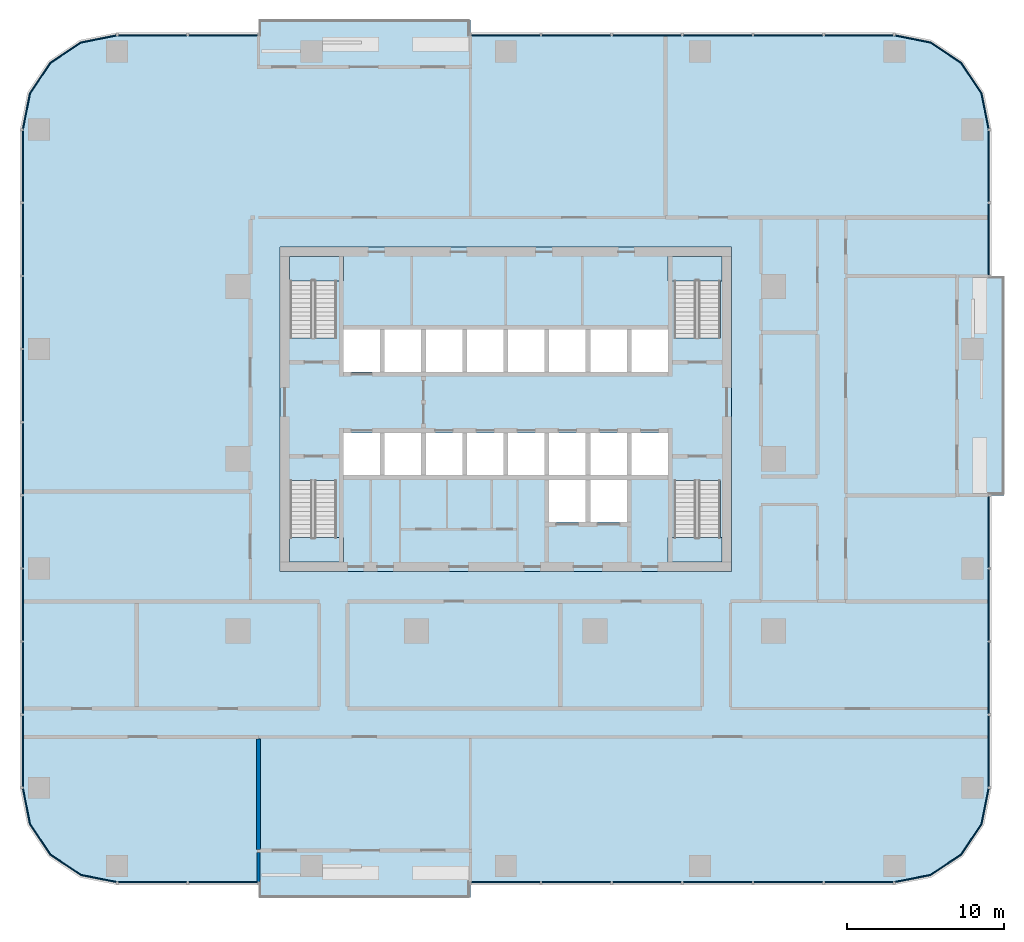
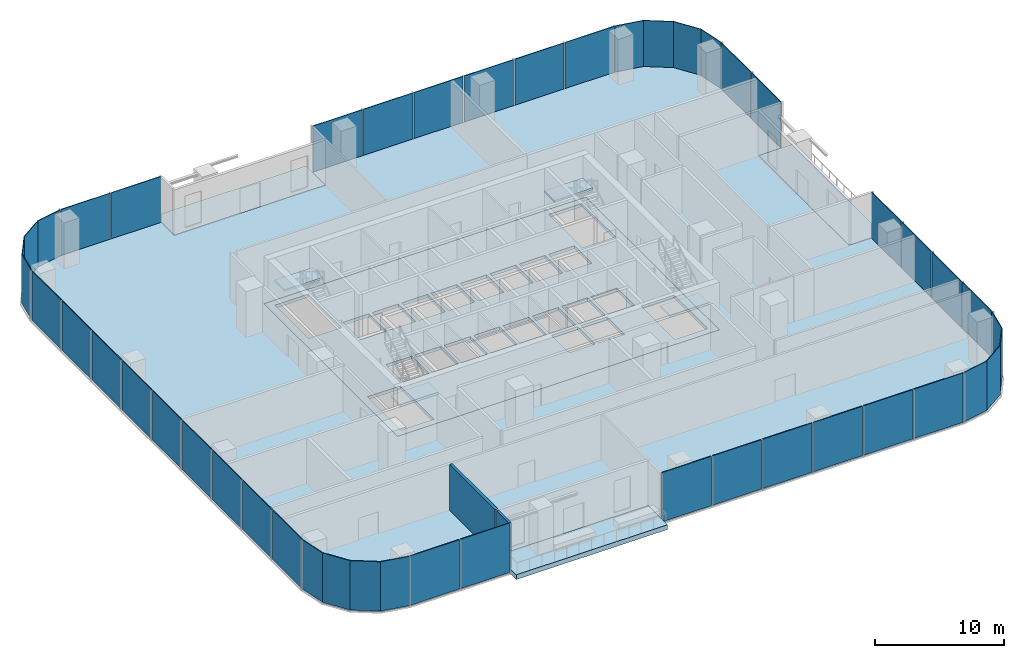
# One storey, part 6 of 15: 35 plates, 9 slabs, 2 walls, 15 elements without a shape of their own.
"""IFC4 building model written with IfcOpenShell, lengths in metres."""

from ifc_helpers import new_model, si_unit, direction, frame, frame_2d, origin, origin_2d, place, context, subcontext, project, spatial, polyline, rectangle, outline, extrude, material, layer, layer_set, type_object, element, aggregate, save


model = new_model("IFC4")

# Units and contexts
model_context = context("Model", 3, precision=1e-05, world=origin(), true_north=direction((0.0, 1.0)))
body_context = subcontext(model_context, "Body", "Model", "MODEL_VIEW")
ifc_project = project(units=[si_unit("LENGTHUNIT", "METRE"), si_unit("AREAUNIT", "SQUARE_METRE"), si_unit("VOLUMEUNIT", "CUBIC_METRE"), si_unit("PLANEANGLEUNIT", "RADIAN"), si_unit("MASSUNIT", "GRAM", prefix="KILO")], contexts=[model_context])

# Site, building, storey
site_placement = place(None, origin())
site = spatial("IfcSite", under=ifc_project, at=site_placement, CompositionType="ELEMENT")
building_placement = place(site_placement, origin())
building = spatial("IfcBuilding", under=site, at=building_placement, Name="Mopane Tessera Tower", CompositionType="ELEMENT")
storey_placement = place(building_placement, frame((0.0, 0.0, 69.39990234375)))
storey = spatial("IfcBuildingStorey", under=building, at=storey_placement, Name="L13", CompositionType="ELEMENT", Elevation=69.39990234375)

# Slab
ifc_material_1 = material(Name="Concrete C40/50", Category="concrete")
ifc_layer_1 = layer(ifc_material_1, 0.300048828125)
ifc_layer_set_1 = layer_set([ifc_layer_1], Name="Concrete C40/50")
slab_type_1 = type_object("IfcSlabType", Name="Core floor slab 300 mm", PredefinedType="FLOOR", material=ifc_layer_set_1)
slab_1_placement = place(storey_placement, frame((0.0, 0.0, -0.2998046875)))
element("IfcSlab", 1, at=slab_1_placement, inside=storey, type_object=slab_type_1, Name="L13 core floor slab", PredefinedType="FLOOR", context=body_context, shape_type="SweptSolid", body=[
    extrude(outline(polyline([(-14.39990234375, -7.199951171875), (14.39990234375, -7.199951171875), (14.39990234375, 13.5), (-14.39990234375, 13.5), (-14.39990234375, -7.199951171875)]), holes=[polyline([(-10.35009765625, -1.050048828125), (-8.02490234375, -1.050048828125), (-8.02490234375, 1.64990234375), (-10.35009765625, 1.64990234375), (-10.35009765625, -1.050048828125)]), polyline([(-7.72509765625, -1.050048828125), (-5.39990234375, -1.050048828125), (-5.39990234375, 1.64990234375), (-7.72509765625, 1.64990234375), (-7.72509765625, -1.050048828125)]), polyline([(-5.10009765625, -1.050048828125), (-2.77490234375, -1.050048828125), (-2.77490234375, 1.64990234375), (-5.10009765625, 1.64990234375), (-5.10009765625, -1.050048828125)]), polyline([(-2.47509765625, -1.050048828125), (-0.14990234375, -1.050048828125), (-0.14990234375, 1.64990234375), (-2.47509765625, 1.64990234375), (-2.47509765625, -1.050048828125)]), polyline([(0.14990234375, -1.050048828125), (2.47509765625, -1.050048828125), (2.47509765625, 1.64990234375), (0.14990234375, 1.64990234375), (0.14990234375, -1.050048828125)]), polyline([(2.77490234375, -1.050048828125), (5.10009765625, -1.050048828125), (5.10009765625, 1.64990234375), (2.77490234375, 1.64990234375), (2.77490234375, -1.050048828125)]), polyline([(5.39990234375, -1.050048828125), (7.72509765625, -1.050048828125), (7.72509765625, 1.64990234375), (5.39990234375, 1.64990234375), (5.39990234375, -1.050048828125)]), polyline([(8.02490234375, -1.050048828125), (10.35009765625, -1.050048828125), (10.35009765625, 1.64990234375), (8.02490234375, 1.64990234375), (8.02490234375, -1.050048828125)]), polyline([(-10.35009765625, 5.550048828125), (-8.02490234375, 5.550048828125), (-8.02490234375, 8.25), (-10.35009765625, 8.25), (-10.35009765625, 5.550048828125)]), polyline([(-7.72509765625, 5.550048828125), (-5.39990234375, 5.550048828125), (-5.39990234375, 8.25), (-7.72509765625, 8.25), (-7.72509765625, 5.550048828125)]), polyline([(-5.10009765625, 5.550048828125), (-2.77490234375, 5.550048828125), (-2.77490234375, 8.25), (-5.10009765625, 8.25), (-5.10009765625, 5.550048828125)]), polyline([(-2.47509765625, 5.550048828125), (-0.14990234375, 5.550048828125), (-0.14990234375, 8.25), (-2.47509765625, 8.25), (-2.47509765625, 5.550048828125)]), polyline([(0.14990234375, 5.550048828125), (2.47509765625, 5.550048828125), (2.47509765625, 8.25), (0.14990234375, 8.25), (0.14990234375, 5.550048828125)]), polyline([(2.77490234375, 5.550048828125), (5.10009765625, 5.550048828125), (5.10009765625, 8.25), (2.77490234375, 8.25), (2.77490234375, 5.550048828125)]), polyline([(5.39990234375, 5.550048828125), (7.72509765625, 5.550048828125), (7.72509765625, 8.25), (5.39990234375, 8.25), (5.39990234375, 5.550048828125)]), polyline([(8.02490234375, 5.550048828125), (10.35009765625, 5.550048828125), (10.35009765625, 8.25), (8.02490234375, 8.25), (8.02490234375, 5.550048828125)]), polyline([(2.77490234375, -4.050048828125), (5.10009765625, -4.050048828125), (5.10009765625, -1.35009765625), (2.77490234375, -1.35009765625), (2.77490234375, -4.050048828125)]), polyline([(5.39990234375, -4.050048828125), (7.72509765625, -4.050048828125), (7.72509765625, -1.35009765625), (5.39990234375, -1.35009765625), (5.39990234375, -4.050048828125)]), polyline([(-13.75, -1.405029296875), (-13.75, -6.60009765625), (-10.800048828125, -6.60009765625), (-10.800048828125, -1.405029296875), (-13.75, -1.405029296875)]), polyline([(-10.800048828125, 7.705078125), (-10.800048828125, 12.89990234375), (-13.75, 12.89990234375), (-13.75, 7.705078125), (-10.800048828125, 7.705078125)]), polyline([(10.75, -1.405029296875), (10.75, -6.60009765625), (13.699951171875, -6.60009765625), (13.699951171875, -1.405029296875), (10.75, -1.405029296875)]), polyline([(13.699951171875, 7.705078125), (13.699951171875, 12.89990234375), (10.75, 12.89990234375), (10.75, 7.705078125), (13.699951171875, 7.705078125)])]), origin(), (0.0, 0.0, 1.0), 0.2998046875),
])

# Stair, slab
ifc_material_2 = material(Name="Concrete C50/60", Category="concrete")
stair_type = type_object("IfcStairType", Name="Escape stair 1400 mm, riser 171 mm", PredefinedType="HALF_TURN_STAIR", material=ifc_material_2)
stair_1_placement = place(storey_placement, origin())
stair_1 = element("IfcStair", 2, at=stair_1_placement, inside=storey, type_object=stair_type, Name="L13 Escape stair south-west", PredefinedType="HALF_TURN_STAIR")
ifc_material_3 = material(Name="Concrete C50/60", Category="concrete")
ifc_layer_2 = layer(ifc_material_3, 0.199951171875)
ifc_layer_set_2 = layer_set([ifc_layer_2], Name="Concrete C50/60")
slab_type_2 = type_object("IfcSlabType", Name="Escape stair landing 200 mm", PredefinedType="LANDING", material=ifc_layer_set_2)
slab_2_placement = place(storey_placement, frame((0.0, 0.0, 2.2001953125)))
slab_2 = element("IfcSlab", 3, at=slab_2_placement, type_object=slab_type_2, Name="ST1 landing 1", PredefinedType="LANDING", context=body_context, shape_type="SweptSolid", body=[
    extrude(outline(polyline([(-13.800048828125, -5.0400390625), (-13.800048828125, -6.60009765625), (-10.35009765625, -6.60009765625), (-10.35009765625, -5.0400390625), (-13.800048828125, -5.0400390625)])), origin(), (0.0, 0.0, 1.0), 0.199951171875),
])
aggregate(stair_1, [slab_2])

stair_2_placement = place(storey_placement, origin())
stair_2 = element("IfcStair", 4, at=stair_2_placement, inside=storey, type_object=stair_type, Name="L13 Escape stair north-west", PredefinedType="HALF_TURN_STAIR")
slab_3_placement = place(storey_placement, frame((0.0, 0.0, 2.2001953125)))
slab_3 = element("IfcSlab", 5, at=slab_3_placement, type_object=slab_type_2, Name="ST2 landing 1", PredefinedType="LANDING", context=body_context, shape_type="SweptSolid", body=[
    extrude(outline(polyline([(-10.35009765625, 11.340087890625), (-10.35009765625, 12.89990234375), (-13.800048828125, 12.89990234375), (-13.800048828125, 11.340087890625), (-10.35009765625, 11.340087890625)])), origin(), (0.0, 0.0, 1.0), 0.199951171875),
])
aggregate(stair_2, [slab_3])

stair_3_placement = place(storey_placement, origin())
stair_3 = element("IfcStair", 6, at=stair_3_placement, inside=storey, type_object=stair_type, Name="L13 Escape stair south-east", PredefinedType="HALF_TURN_STAIR")
slab_4_placement = place(storey_placement, frame((0.0, 0.0, 2.2001953125)))
slab_4 = element("IfcSlab", 7, at=slab_4_placement, type_object=slab_type_2, Name="ST3 landing 1", PredefinedType="LANDING", context=body_context, shape_type="SweptSolid", body=[
    extrude(outline(polyline([(10.35009765625, -5.0400390625), (10.35009765625, -6.60009765625), (13.800048828125, -6.60009765625), (13.800048828125, -5.0400390625), (10.35009765625, -5.0400390625)])), origin(), (0.0, 0.0, 1.0), 0.199951171875),
])
aggregate(stair_3, [slab_4])

stair_4_placement = place(storey_placement, origin())
stair_4 = element("IfcStair", 8, at=stair_4_placement, inside=storey, type_object=stair_type, Name="L13 Escape stair north-east", PredefinedType="HALF_TURN_STAIR")
slab_5_placement = place(storey_placement, frame((0.0, 0.0, 2.2001953125)))
slab_5 = element("IfcSlab", 9, at=slab_5_placement, type_object=slab_type_2, Name="ST4 landing 1", PredefinedType="LANDING", context=body_context, shape_type="SweptSolid", body=[
    extrude(outline(polyline([(13.800048828125, 11.340087890625), (13.800048828125, 12.89990234375), (10.35009765625, 12.89990234375), (10.35009765625, 11.340087890625), (13.800048828125, 11.340087890625)])), origin(), (0.0, 0.0, 1.0), 0.199951171875),
])
aggregate(stair_4, [slab_5])

# Curtain wall, plates
ifc_material_4 = material(Name="Aluminium frame", Category="aluminium")
curtain_wall_type = type_object("IfcCurtainWallType", Name="Lower tower unitised wall", PredefinedType="NOTDEFINED", material=ifc_material_4)
curtain_wall_1_placement = place(storey_placement, origin())
curtain_wall_1 = element("IfcCurtainWall", 10, at=curtain_wall_1_placement, inside=storey, type_object=curtain_wall_type, Name="e:cw:L13:S:0", PredefinedType="NOTDEFINED")
ifc_material_5 = material(Name="Clear laminated glass", Category="glass")
ifc_layer_3 = layer(ifc_material_5, 0.070068359375)
ifc_layer_set_3 = layer_set([ifc_layer_3], Name="Clear laminated glass")
plate_type = type_object("IfcPlateType", Name="Laminated glazed unit 70", PredefinedType="CURTAIN_PANEL", material=ifc_layer_set_3)
plate_1_placement = place(storey_placement, frame((-22.54541015625, -27.034912109375, -0.31005859375), z_axis=(0.0, 0.0, 1.0), x_axis=(1.0, 0.0, 0.0)))
plate_1 = element("IfcPlate", 11, at=plate_1_placement, type_object=plate_type, Name="e:cw:L13:S:0:pn0", PredefinedType="CURTAIN_PANEL", context=body_context, shape_type="SweptSolid", body=[
    extrude(rectangle(XDim=4.399169921875, YDim=0.070068359375, at=origin_2d()), origin(), (0.0, 0.0, 1.0), 4.659912109375),
])
plate_2_placement = place(storey_placement, frame((-18.036376953125, -27.034912109375, -0.31005859375), z_axis=(0.0, 0.0, 1.0), x_axis=(1.0, 0.0, 0.0)))
plate_2 = element("IfcPlate", 12, at=plate_2_placement, type_object=plate_type, Name="e:cw:L13:S:0:pn1", PredefinedType="CURTAIN_PANEL", context=body_context, shape_type="SweptSolid", body=[
    extrude(rectangle(XDim=4.399169921875, YDim=0.070068359375, at=origin_2d()), origin(), (0.0, 0.0, 1.0), 4.659912109375),
])
aggregate(curtain_wall_1, [plate_1, plate_2])

curtain_wall_2_placement = place(storey_placement, origin())
curtain_wall_2 = element("IfcCurtainWall", 13, at=curtain_wall_2_placement, inside=storey, type_object=curtain_wall_type, Name="e:cw:L13:S:5", PredefinedType="NOTDEFINED")
plate_3_placement = place(storey_placement, frame((0.0, -27.034912109375, -0.31005859375), z_axis=(0.0, 0.0, 1.0), x_axis=(1.0, 0.0, 0.0)))
plate_3 = element("IfcPlate", 14, at=plate_3_placement, type_object=plate_type, Name="e:cw:L13:S:5:pn5", PredefinedType="CURTAIN_PANEL", context=body_context, shape_type="SweptSolid", body=[
    extrude(rectangle(XDim=4.399169921875, YDim=0.070068359375, at=origin_2d()), origin(), (0.0, 0.0, 1.0), 4.659912109375),
])
plate_4_placement = place(storey_placement, frame((4.509033203125, -27.034912109375, -0.31005859375), z_axis=(0.0, 0.0, 1.0), x_axis=(1.0, 0.0, 0.0)))
plate_4 = element("IfcPlate", 15, at=plate_4_placement, type_object=plate_type, Name="e:cw:L13:S:5:pn6", PredefinedType="CURTAIN_PANEL", context=body_context, shape_type="SweptSolid", body=[
    extrude(rectangle(XDim=4.399169921875, YDim=0.070068359375, at=origin_2d()), origin(), (0.0, 0.0, 1.0), 4.659912109375),
])
plate_5_placement = place(storey_placement, frame((9.01806640625, -27.034912109375, -0.31005859375), z_axis=(0.0, 0.0, 1.0), x_axis=(1.0, 0.0, 0.0)))
plate_5 = element("IfcPlate", 16, at=plate_5_placement, type_object=plate_type, Name="e:cw:L13:S:5:pn7", PredefinedType="CURTAIN_PANEL", context=body_context, shape_type="SweptSolid", body=[
    extrude(rectangle(XDim=4.399169921875, YDim=0.070068359375, at=origin_2d()), origin(), (0.0, 0.0, 1.0), 4.659912109375),
])
plate_6_placement = place(storey_placement, frame((13.52734375, -27.034912109375, -0.31005859375), z_axis=(0.0, 0.0, 1.0), x_axis=(1.0, 0.0, 0.0)))
plate_6 = element("IfcPlate", 17, at=plate_6_placement, type_object=plate_type, Name="e:cw:L13:S:5:pn8", PredefinedType="CURTAIN_PANEL", context=body_context, shape_type="SweptSolid", body=[
    extrude(rectangle(XDim=4.399169921875, YDim=0.070068359375, at=origin_2d()), origin(), (0.0, 0.0, 1.0), 4.659912109375),
])
plate_7_placement = place(storey_placement, frame((18.036376953125, -27.034912109375, -0.31005859375), z_axis=(0.0, 0.0, 1.0), x_axis=(1.0, 0.0, 0.0)))
plate_7 = element("IfcPlate", 18, at=plate_7_placement, type_object=plate_type, Name="e:cw:L13:S:5:pn9", PredefinedType="CURTAIN_PANEL", context=body_context, shape_type="SweptSolid", body=[
    extrude(rectangle(XDim=4.399169921875, YDim=0.070068359375, at=origin_2d()), origin(), (0.0, 0.0, 1.0), 4.659912109375),
])
plate_8_placement = place(storey_placement, frame((22.54541015625, -27.034912109375, -0.31005859375), z_axis=(0.0, 0.0, 1.0), x_axis=(1.0, 0.0, 0.0)))
plate_8 = element("IfcPlate", 19, at=plate_8_placement, type_object=plate_type, Name="e:cw:L13:S:5:pn10", PredefinedType="CURTAIN_PANEL", context=body_context, shape_type="SweptSolid", body=[
    extrude(rectangle(XDim=4.399169921875, YDim=0.070068359375, at=origin_2d()), origin(), (0.0, 0.0, 1.0), 4.659912109375),
])
aggregate(curtain_wall_2, [plate_3, plate_4, plate_5, plate_6, plate_7, plate_8])

# Curtain wall, plate
curtain_wall_3_placement = place(storey_placement, origin())
curtain_wall_3 = element("IfcCurtainWall", 20, at=curtain_wall_3_placement, inside=storey, type_object=curtain_wall_type, Name="e:cw:L13:CS", PredefinedType="NOTDEFINED")
plate_9_placement = place(storey_placement, frame((0.0, 0.0, -0.309814453125)))
plate_9 = element("IfcPlate", 21, at=plate_9_placement, type_object=plate_type, Name="e:cw:L13:CS:pn", PredefinedType="CURTAIN_PANEL", context=body_context, shape_type="SweptSolid", body=[
    extrude(outline(polyline([(24.800048828125, -27.0), (27.09619140625, -26.543212890625), (29.042724609375, -25.24267578125), (30.34326171875, -23.296142578125), (30.800048828125, -21.0), (30.8701171875, -21.0), (30.407958984375, -23.322998046875), (29.092041015625, -25.292236328125), (27.122802734375, -26.60791015625), (24.800048828125, -27.070068359375), (24.800048828125, -27.0)])), origin(), (0.0, 0.0, 1.0), 4.659912109375),
])
aggregate(curtain_wall_3, [plate_9])

# Curtain wall, plates
curtain_wall_4_placement = place(storey_placement, origin())
curtain_wall_4 = element("IfcCurtainWall", 22, at=curtain_wall_4_placement, inside=storey, type_object=curtain_wall_type, Name="e:cw:L13:E:0", PredefinedType="NOTDEFINED")
plate_10_placement = place(storey_placement, frame((30.8349609375, -18.666748046875, -0.31005859375), z_axis=(0.0, 0.0, 1.0), x_axis=(0.0, 1.0, 0.0)))
plate_10 = element("IfcPlate", 23, at=plate_10_placement, type_object=plate_type, Name="e:cw:L13:E:0:pn0", PredefinedType="CURTAIN_PANEL", context=body_context, shape_type="SweptSolid", body=[
    extrude(rectangle(XDim=4.556640625, YDim=0.070068359375, at=origin_2d()), origin(), (0.0, 0.0, 1.0), 4.659912109375),
])
plate_11_placement = place(storey_placement, frame((30.8349609375, -14.0, -0.31005859375), z_axis=(0.0, 0.0, 1.0), x_axis=(0.0, 1.0, 0.0)))
plate_11 = element("IfcPlate", 24, at=plate_11_placement, type_object=plate_type, Name="e:cw:L13:E:0:pn1", PredefinedType="CURTAIN_PANEL", context=body_context, shape_type="SweptSolid", body=[
    extrude(rectangle(XDim=4.556640625, YDim=0.070068359375, at=origin_2d()), origin(), (0.0, 0.0, 1.0), 4.659912109375),
])
plate_12_placement = place(storey_placement, frame((30.8349609375, -9.333251953125, -0.31005859375), z_axis=(0.0, 0.0, 1.0), x_axis=(0.0, 1.0, 0.0)))
plate_12 = element("IfcPlate", 25, at=plate_12_placement, type_object=plate_type, Name="e:cw:L13:E:0:pn2", PredefinedType="CURTAIN_PANEL", context=body_context, shape_type="SweptSolid", body=[
    extrude(rectangle(XDim=4.556640625, YDim=0.070068359375, at=origin_2d()), origin(), (0.0, 0.0, 1.0), 4.659912109375),
])
plate_13_placement = place(storey_placement, frame((30.8349609375, -4.666748046875, -0.31005859375), z_axis=(0.0, 0.0, 1.0), x_axis=(0.0, 1.0, 0.0)))
plate_13 = element("IfcPlate", 26, at=plate_13_placement, type_object=plate_type, Name="e:cw:L13:E:0:pn3", PredefinedType="CURTAIN_PANEL", context=body_context, shape_type="SweptSolid", body=[
    extrude(rectangle(XDim=4.556640625, YDim=0.070068359375, at=origin_2d()), origin(), (0.0, 0.0, 1.0), 4.659912109375),
])
aggregate(curtain_wall_4, [plate_10, plate_11, plate_12, plate_13])

curtain_wall_5_placement = place(storey_placement, origin())
curtain_wall_5 = element("IfcCurtainWall", 27, at=curtain_wall_5_placement, inside=storey, type_object=curtain_wall_type, Name="e:cw:L13:E:7", PredefinedType="NOTDEFINED")
plate_14_placement = place(storey_placement, frame((30.8349609375, 14.0, -0.31005859375), z_axis=(0.0, 0.0, 1.0), x_axis=(0.0, 1.0, 0.0)))
plate_14 = element("IfcPlate", 28, at=plate_14_placement, type_object=plate_type, Name="e:cw:L13:E:7:pn7", PredefinedType="CURTAIN_PANEL", context=body_context, shape_type="SweptSolid", body=[
    extrude(rectangle(XDim=4.556640625, YDim=0.070068359375, at=origin_2d()), origin(), (0.0, 0.0, 1.0), 4.659912109375),
])
plate_15_placement = place(storey_placement, frame((30.8349609375, 18.666748046875, -0.31005859375), z_axis=(0.0, 0.0, 1.0), x_axis=(0.0, 1.0, 0.0)))
plate_15 = element("IfcPlate", 29, at=plate_15_placement, type_object=plate_type, Name="e:cw:L13:E:7:pn8", PredefinedType="CURTAIN_PANEL", context=body_context, shape_type="SweptSolid", body=[
    extrude(rectangle(XDim=4.556640625, YDim=0.070068359375, at=origin_2d()), origin(), (0.0, 0.0, 1.0), 4.659912109375),
])
aggregate(curtain_wall_5, [plate_14, plate_15])

# Curtain wall, plate
curtain_wall_6_placement = place(storey_placement, origin())
curtain_wall_6 = element("IfcCurtainWall", 30, at=curtain_wall_6_placement, inside=storey, type_object=curtain_wall_type, Name="e:cw:L13:CE", PredefinedType="NOTDEFINED")
plate_16_placement = place(storey_placement, frame((0.0, 0.0, -0.309814453125)))
plate_16 = element("IfcPlate", 31, at=plate_16_placement, type_object=plate_type, Name="e:cw:L13:CE:pn", PredefinedType="CURTAIN_PANEL", context=body_context, shape_type="SweptSolid", body=[
    extrude(outline(polyline([(30.800048828125, 21.0), (30.34326171875, 23.296142578125), (29.042724609375, 25.24267578125), (27.09619140625, 26.543212890625), (24.800048828125, 27.0), (24.800048828125, 27.070068359375), (27.122802734375, 26.60791015625), (29.092041015625, 25.292236328125), (30.407958984375, 23.322998046875), (30.8701171875, 21.0), (30.800048828125, 21.0)])), origin(), (0.0, 0.0, 1.0), 4.659912109375),
])
aggregate(curtain_wall_6, [plate_16])

# Curtain wall, plates
curtain_wall_7_placement = place(storey_placement, origin())
curtain_wall_7 = element("IfcCurtainWall", 32, at=curtain_wall_7_placement, inside=storey, type_object=curtain_wall_type, Name="e:cw:L13:N:0", PredefinedType="NOTDEFINED")
plate_17_placement = place(storey_placement, frame((22.54541015625, 27.034912109375, -0.31005859375), z_axis=(0.0, 0.0, 1.0), x_axis=(-1.0, 0.0, 0.0)))
plate_17 = element("IfcPlate", 33, at=plate_17_placement, type_object=plate_type, Name="e:cw:L13:N:0:pn0", PredefinedType="CURTAIN_PANEL", context=body_context, shape_type="SweptSolid", body=[
    extrude(rectangle(XDim=4.399169921875, YDim=0.070068359375, at=origin_2d()), origin(), (0.0, 0.0, 1.0), 4.659912109375),
])
plate_18_placement = place(storey_placement, frame((18.036376953125, 27.034912109375, -0.31005859375), z_axis=(0.0, 0.0, 1.0), x_axis=(-1.0, 0.0, 0.0)))
plate_18 = element("IfcPlate", 34, at=plate_18_placement, type_object=plate_type, Name="e:cw:L13:N:0:pn1", PredefinedType="CURTAIN_PANEL", context=body_context, shape_type="SweptSolid", body=[
    extrude(rectangle(XDim=4.399169921875, YDim=0.070068359375, at=origin_2d()), origin(), (0.0, 0.0, 1.0), 4.659912109375),
])
plate_19_placement = place(storey_placement, frame((13.52734375, 27.034912109375, -0.31005859375), z_axis=(0.0, 0.0, 1.0), x_axis=(-1.0, 0.0, 0.0)))
plate_19 = element("IfcPlate", 35, at=plate_19_placement, type_object=plate_type, Name="e:cw:L13:N:0:pn2", PredefinedType="CURTAIN_PANEL", context=body_context, shape_type="SweptSolid", body=[
    extrude(rectangle(XDim=4.399169921875, YDim=0.070068359375, at=origin_2d()), origin(), (0.0, 0.0, 1.0), 4.659912109375),
])
plate_20_placement = place(storey_placement, frame((9.01806640625, 27.034912109375, -0.31005859375), z_axis=(0.0, 0.0, 1.0), x_axis=(-1.0, 0.0, 0.0)))
plate_20 = element("IfcPlate", 36, at=plate_20_placement, type_object=plate_type, Name="e:cw:L13:N:0:pn3", PredefinedType="CURTAIN_PANEL", context=body_context, shape_type="SweptSolid", body=[
    extrude(rectangle(XDim=4.399169921875, YDim=0.070068359375, at=origin_2d()), origin(), (0.0, 0.0, 1.0), 4.659912109375),
])
plate_21_placement = place(storey_placement, frame((4.509033203125, 27.034912109375, -0.31005859375), z_axis=(0.0, 0.0, 1.0), x_axis=(-1.0, 0.0, 0.0)))
plate_21 = element("IfcPlate", 37, at=plate_21_placement, type_object=plate_type, Name="e:cw:L13:N:0:pn4", PredefinedType="CURTAIN_PANEL", context=body_context, shape_type="SweptSolid", body=[
    extrude(rectangle(XDim=4.399169921875, YDim=0.070068359375, at=origin_2d()), origin(), (0.0, 0.0, 1.0), 4.659912109375),
])
plate_22_placement = place(storey_placement, frame((0.0, 27.034912109375, -0.31005859375), z_axis=(0.0, 0.0, 1.0), x_axis=(-1.0, 0.0, 0.0)))
plate_22 = element("IfcPlate", 38, at=plate_22_placement, type_object=plate_type, Name="e:cw:L13:N:0:pn5", PredefinedType="CURTAIN_PANEL", context=body_context, shape_type="SweptSolid", body=[
    extrude(rectangle(XDim=4.399169921875, YDim=0.070068359375, at=origin_2d()), origin(), (0.0, 0.0, 1.0), 4.659912109375),
])
aggregate(curtain_wall_7, [plate_17, plate_18, plate_19, plate_20, plate_21, plate_22])

curtain_wall_8_placement = place(storey_placement, origin())
curtain_wall_8 = element("IfcCurtainWall", 39, at=curtain_wall_8_placement, inside=storey, type_object=curtain_wall_type, Name="e:cw:L13:N:9", PredefinedType="NOTDEFINED")
plate_23_placement = place(storey_placement, frame((-18.036376953125, 27.034912109375, -0.31005859375), z_axis=(0.0, 0.0, 1.0), x_axis=(-1.0, 0.0, 0.0)))
plate_23 = element("IfcPlate", 40, at=plate_23_placement, type_object=plate_type, Name="e:cw:L13:N:9:pn9", PredefinedType="CURTAIN_PANEL", context=body_context, shape_type="SweptSolid", body=[
    extrude(rectangle(XDim=4.399169921875, YDim=0.070068359375, at=origin_2d()), origin(), (0.0, 0.0, 1.0), 4.659912109375),
])
plate_24_placement = place(storey_placement, frame((-22.54541015625, 27.034912109375, -0.31005859375), z_axis=(0.0, 0.0, 1.0), x_axis=(-1.0, 0.0, 0.0)))
plate_24 = element("IfcPlate", 41, at=plate_24_placement, type_object=plate_type, Name="e:cw:L13:N:9:pn10", PredefinedType="CURTAIN_PANEL", context=body_context, shape_type="SweptSolid", body=[
    extrude(rectangle(XDim=4.399169921875, YDim=0.070068359375, at=origin_2d()), origin(), (0.0, 0.0, 1.0), 4.659912109375),
])
aggregate(curtain_wall_8, [plate_23, plate_24])

# Curtain wall, plate
curtain_wall_9_placement = place(storey_placement, origin())
curtain_wall_9 = element("IfcCurtainWall", 42, at=curtain_wall_9_placement, inside=storey, type_object=curtain_wall_type, Name="e:cw:L13:CN", PredefinedType="NOTDEFINED")
plate_25_placement = place(storey_placement, frame((0.0, 0.0, -0.309814453125)))
plate_25 = element("IfcPlate", 43, at=plate_25_placement, type_object=plate_type, Name="e:cw:L13:CN:pn", PredefinedType="CURTAIN_PANEL", context=body_context, shape_type="SweptSolid", body=[
    extrude(outline(polyline([(-24.800048828125, 27.0), (-27.09619140625, 26.543212890625), (-29.042724609375, 25.24267578125), (-30.34326171875, 23.296142578125), (-30.800048828125, 21.0), (-30.8701171875, 21.0), (-30.407958984375, 23.322998046875), (-29.092041015625, 25.292236328125), (-27.122802734375, 26.60791015625), (-24.800048828125, 27.070068359375), (-24.800048828125, 27.0)])), origin(), (0.0, 0.0, 1.0), 4.659912109375),
])
aggregate(curtain_wall_9, [plate_25])

# Curtain wall, plates
curtain_wall_10_placement = place(storey_placement, origin())
curtain_wall_10 = element("IfcCurtainWall", 44, at=curtain_wall_10_placement, inside=storey, type_object=curtain_wall_type, Name="e:cw:L13:W:0", PredefinedType="NOTDEFINED")
plate_26_placement = place(storey_placement, frame((-30.8349609375, 18.666748046875, -0.31005859375), z_axis=(0.0, 0.0, 1.0), x_axis=(0.0, -1.0, 0.0)))
plate_26 = element("IfcPlate", 45, at=plate_26_placement, type_object=plate_type, Name="e:cw:L13:W:0:pn0", PredefinedType="CURTAIN_PANEL", context=body_context, shape_type="SweptSolid", body=[
    extrude(rectangle(XDim=4.556640625, YDim=0.070068359375, at=origin_2d()), origin(), (0.0, 0.0, 1.0), 4.659912109375),
])
plate_27_placement = place(storey_placement, frame((-30.8349609375, 14.0, -0.31005859375), z_axis=(0.0, 0.0, 1.0), x_axis=(0.0, -1.0, 0.0)))
plate_27 = element("IfcPlate", 46, at=plate_27_placement, type_object=plate_type, Name="e:cw:L13:W:0:pn1", PredefinedType="CURTAIN_PANEL", context=body_context, shape_type="SweptSolid", body=[
    extrude(rectangle(XDim=4.556640625, YDim=0.070068359375, at=origin_2d()), origin(), (0.0, 0.0, 1.0), 4.659912109375),
])
plate_28_placement = place(storey_placement, frame((-30.8349609375, 9.333251953125, -0.31005859375), z_axis=(0.0, 0.0, 1.0), x_axis=(0.0, -1.0, 0.0)))
plate_28 = element("IfcPlate", 47, at=plate_28_placement, type_object=plate_type, Name="e:cw:L13:W:0:pn2", PredefinedType="CURTAIN_PANEL", context=body_context, shape_type="SweptSolid", body=[
    extrude(rectangle(XDim=4.556640625, YDim=0.070068359375, at=origin_2d()), origin(), (0.0, 0.0, 1.0), 4.659912109375),
])
plate_29_placement = place(storey_placement, frame((-30.8349609375, 4.666748046875, -0.31005859375), z_axis=(0.0, 0.0, 1.0), x_axis=(0.0, -1.0, 0.0)))
plate_29 = element("IfcPlate", 48, at=plate_29_placement, type_object=plate_type, Name="e:cw:L13:W:0:pn3", PredefinedType="CURTAIN_PANEL", context=body_context, shape_type="SweptSolid", body=[
    extrude(rectangle(XDim=4.556640625, YDim=0.070068359375, at=origin_2d()), origin(), (0.0, 0.0, 1.0), 4.659912109375),
])
plate_30_placement = place(storey_placement, frame((-30.8349609375, 0.0, -0.31005859375), z_axis=(0.0, 0.0, 1.0), x_axis=(0.0, -1.0, 0.0)))
plate_30 = element("IfcPlate", 49, at=plate_30_placement, type_object=plate_type, Name="e:cw:L13:W:0:pn4", PredefinedType="CURTAIN_PANEL", context=body_context, shape_type="SweptSolid", body=[
    extrude(rectangle(XDim=4.556640625, YDim=0.070068359375, at=origin_2d()), origin(), (0.0, 0.0, 1.0), 4.659912109375),
])
plate_31_placement = place(storey_placement, frame((-30.8349609375, -4.666748046875, -0.31005859375), z_axis=(0.0, 0.0, 1.0), x_axis=(0.0, -1.0, 0.0)))
plate_31 = element("IfcPlate", 50, at=plate_31_placement, type_object=plate_type, Name="e:cw:L13:W:0:pn5", PredefinedType="CURTAIN_PANEL", context=body_context, shape_type="SweptSolid", body=[
    extrude(rectangle(XDim=4.556640625, YDim=0.070068359375, at=origin_2d()), origin(), (0.0, 0.0, 1.0), 4.659912109375),
])
plate_32_placement = place(storey_placement, frame((-30.8349609375, -9.333251953125, -0.31005859375), z_axis=(0.0, 0.0, 1.0), x_axis=(0.0, -1.0, 0.0)))
plate_32 = element("IfcPlate", 51, at=plate_32_placement, type_object=plate_type, Name="e:cw:L13:W:0:pn6", PredefinedType="CURTAIN_PANEL", context=body_context, shape_type="SweptSolid", body=[
    extrude(rectangle(XDim=4.556640625, YDim=0.070068359375, at=origin_2d()), origin(), (0.0, 0.0, 1.0), 4.659912109375),
])
plate_33_placement = place(storey_placement, frame((-30.8349609375, -14.0, -0.31005859375), z_axis=(0.0, 0.0, 1.0), x_axis=(0.0, -1.0, 0.0)))
plate_33 = element("IfcPlate", 52, at=plate_33_placement, type_object=plate_type, Name="e:cw:L13:W:0:pn7", PredefinedType="CURTAIN_PANEL", context=body_context, shape_type="SweptSolid", body=[
    extrude(rectangle(XDim=4.556640625, YDim=0.070068359375, at=origin_2d()), origin(), (0.0, 0.0, 1.0), 4.659912109375),
])
plate_34_placement = place(storey_placement, frame((-30.8349609375, -18.666748046875, -0.31005859375), z_axis=(0.0, 0.0, 1.0), x_axis=(0.0, -1.0, 0.0)))
plate_34 = element("IfcPlate", 53, at=plate_34_placement, type_object=plate_type, Name="e:cw:L13:W:0:pn8", PredefinedType="CURTAIN_PANEL", context=body_context, shape_type="SweptSolid", body=[
    extrude(rectangle(XDim=4.556640625, YDim=0.070068359375, at=origin_2d()), origin(), (0.0, 0.0, 1.0), 4.659912109375),
])
aggregate(curtain_wall_10, [plate_26, plate_27, plate_28, plate_29, plate_30, plate_31, plate_32, plate_33, plate_34])

# Curtain wall, plate
curtain_wall_11_placement = place(storey_placement, origin())
curtain_wall_11 = element("IfcCurtainWall", 54, at=curtain_wall_11_placement, inside=storey, type_object=curtain_wall_type, Name="e:cw:L13:CW", PredefinedType="NOTDEFINED")
plate_35_placement = place(storey_placement, frame((0.0, 0.0, -0.309814453125)))
plate_35 = element("IfcPlate", 55, at=plate_35_placement, type_object=plate_type, Name="e:cw:L13:CW:pn", PredefinedType="CURTAIN_PANEL", context=body_context, shape_type="SweptSolid", body=[
    extrude(outline(polyline([(-30.800048828125, -21.0), (-30.34326171875, -23.296142578125), (-29.042724609375, -25.24267578125), (-27.09619140625, -26.543212890625), (-24.800048828125, -27.0), (-24.800048828125, -27.070068359375), (-27.122802734375, -26.60791015625), (-29.092041015625, -25.292236328125), (-30.407958984375, -23.322998046875), (-30.8701171875, -21.0), (-30.800048828125, -21.0)])), origin(), (0.0, 0.0, 1.0), 4.659912109375),
])
aggregate(curtain_wall_11, [plate_35])

# Slabs
ifc_material_6 = material(Name="Concrete C40/50", Category="concrete")
ifc_layer_4 = layer(ifc_material_6, 0.449951171875)
ifc_layer_set_4 = layer_set([ifc_layer_4], Name="Concrete C40/50")
slab_type_3 = type_object("IfcSlabType", Name="Planted terrace slab 450 mm", PredefinedType="FLOOR", material=ifc_layer_set_4)
slab_6_placement = place(storey_placement, frame((0.0, 0.0, -0.449951171875)))
element("IfcSlab", 56, at=slab_6_placement, inside=storey, type_object=slab_type_3, Name="Terrace slab N1 L13", PredefinedType="FLOOR", context=body_context, shape_type="SweptSolid", body=[
    extrude(outline(polyline([(31.800048828125, 11.666748046875), (28.800048828125, 11.666748046875), (28.800048828125, -2.333251953125), (31.800048828125, -2.333251953125), (31.800048828125, 11.666748046875)])), origin(), (0.0, 0.0, 1.0), 0.449951171875),
])
slab_7_placement = place(storey_placement, frame((0.0, 0.0, -0.449951171875)))
element("IfcSlab", 57, at=slab_7_placement, inside=storey, type_object=slab_type_3, Name="Terrace slab N2 L13", PredefinedType="FLOOR", context=body_context, shape_type="SweptSolid", body=[
    extrude(outline(polyline([(-15.78173828125, 28.0), (-15.78173828125, 25.0), (-2.254638671875, 25.0), (-2.254638671875, 28.0), (-15.78173828125, 28.0)])), origin(), (0.0, 0.0, 1.0), 0.449951171875),
])
slab_8_placement = place(storey_placement, frame((0.0, 0.0, -0.449951171875)))
element("IfcSlab", 58, at=slab_8_placement, inside=storey, type_object=slab_type_3, Name="Terrace slab N3 L13", PredefinedType="FLOOR", context=body_context, shape_type="SweptSolid", body=[
    extrude(outline(polyline([(-2.254638671875, -28.0), (-2.254638671875, -25.0), (-15.78173828125, -25.0), (-15.78173828125, -28.0), (-2.254638671875, -28.0)])), origin(), (0.0, 0.0, 1.0), 0.449951171875),
])
ifc_material_7 = material(Name="Concrete C40/50", Category="concrete")
ifc_layer_5 = layer(ifc_material_7, 0.449951171875)
ifc_layer_set_5 = layer_set([ifc_layer_5], Name="Concrete C40/50")
slab_type_4 = type_object("IfcSlabType", Name="Post-tensioned flat plate 450 mm", PredefinedType="FLOOR", material=ifc_layer_set_5)
slab_9_placement = place(storey_placement, frame((0.0, 0.0, -0.449951171875)))
element("IfcSlab", 59, at=slab_9_placement, inside=storey, type_object=slab_type_4, Name="Floor slab L13", PredefinedType="FLOOR", context=body_context, shape_type="SweptSolid", body=[
    extrude(outline(polyline([(-24.800048828125, -27.0), (-15.78173828125, -27.0), (-15.78173828125, -25.0), (-2.254638671875, -25.0), (-2.254638671875, -27.0), (24.800048828125, -27.0), (27.09619140625, -26.543212890625), (29.042724609375, -25.24267578125), (30.34326171875, -23.296142578125), (30.800048828125, -21.0), (30.800048828125, -2.333251953125), (28.800048828125, -2.333251953125), (28.800048828125, 11.666748046875), (30.800048828125, 11.666748046875), (30.800048828125, 21.0), (30.34326171875, 23.296142578125), (29.042724609375, 25.24267578125), (27.09619140625, 26.543212890625), (24.800048828125, 27.0), (-2.254638671875, 27.0), (-2.254638671875, 25.0), (-15.78173828125, 25.0), (-15.78173828125, 27.0), (-24.800048828125, 27.0), (-27.09619140625, 26.543212890625), (-29.042724609375, 25.24267578125), (-30.34326171875, 23.296142578125), (-30.800048828125, 21.0), (-30.800048828125, -21.0), (-30.34326171875, -23.296142578125), (-29.042724609375, -25.24267578125), (-27.09619140625, -26.543212890625), (-24.800048828125, -27.0)]), holes=[polyline([(14.39990234375, -7.199951171875), (-14.39990234375, -7.199951171875), (-14.39990234375, 13.5), (14.39990234375, 13.5), (14.39990234375, -7.199951171875)])]), origin(), (0.0, 0.0, 1.0), 0.449951171875),
])

# Walls
ifc_material_8 = material(Name="Plastered concrete blockwork C20/25", Category="masonry")
ifc_layer_6 = layer(ifc_material_8, 0.25)
ifc_layer_set_6 = layer_set([ifc_layer_6], Name="Plastered concrete blockwork C20/25")
wall_type_1 = type_object("IfcWallType", Name="Plastered blockwork wall 250, rated EI 120", PredefinedType="PARTITIONING", material=ifc_layer_set_6)
wall_1_placement = place(storey_placement, frame((-15.780029296875, -24.949951171875, 0.0), z_axis=(0.0, 0.0, 1.0), x_axis=(0.0, 1.0, 0.0)))
element("IfcWall", 60, at=wall_1_placement, inside=storey, type_object=wall_type_1, Name="Partition L13:026", PredefinedType="PARTITIONING", context=body_context, shape_type="SweptSolid", body=[
    extrude(rectangle(XDim=7.074951171875, YDim=0.25, at=frame_2d((3.53759765625, 0.0))), origin(), (0.0, 0.0, 1.0), 4.35009765625),
])
ifc_material_9 = material(Name="Blockwork with glazed tile facing", Category="masonry")
ifc_layer_7 = layer(ifc_material_9, 0.199951171875)
ifc_layer_set_7 = layer_set([ifc_layer_7], Name="Blockwork with glazed tile facing")
wall_type_2 = type_object("IfcWallType", Name="Terrace cheek wall 200", PredefinedType="STANDARD", material=ifc_layer_set_7)
wall_2_placement = place(storey_placement, frame((-15.78173828125, -27.0, 0.0), z_axis=(0.0, 0.0, 1.0), x_axis=(0.0, 1.0, 0.0)))
element("IfcWall", 61, at=wall_2_placement, inside=storey, type_object=wall_type_2, Name="e:nw:L13:N3:cheeka", PredefinedType="STANDARD", context=body_context, shape_type="SweptSolid", body=[
    extrude(rectangle(XDim=1.875, YDim=0.199951171875, at=frame_2d((0.9375, 0.0))), origin(), (0.0, 0.0, 1.0), 4.35009765625),
])

save(model, "model.ifc")
